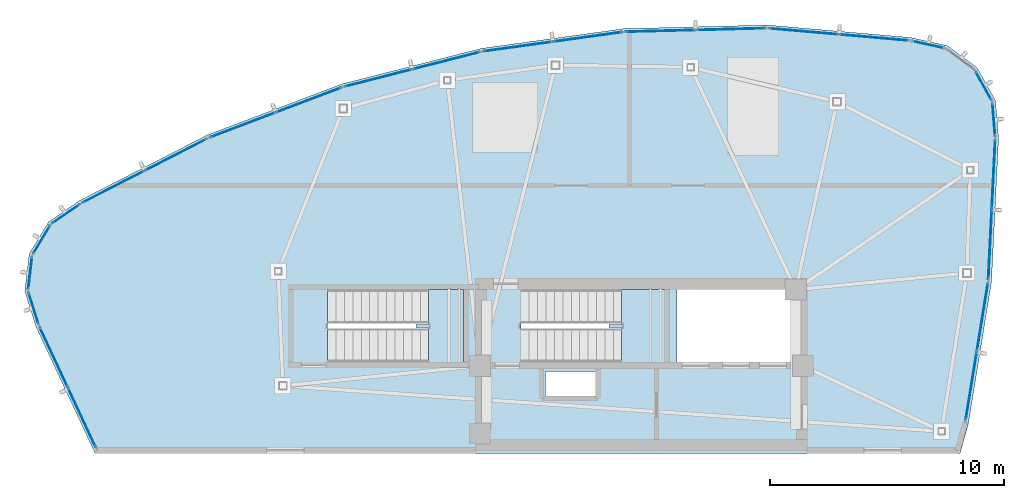
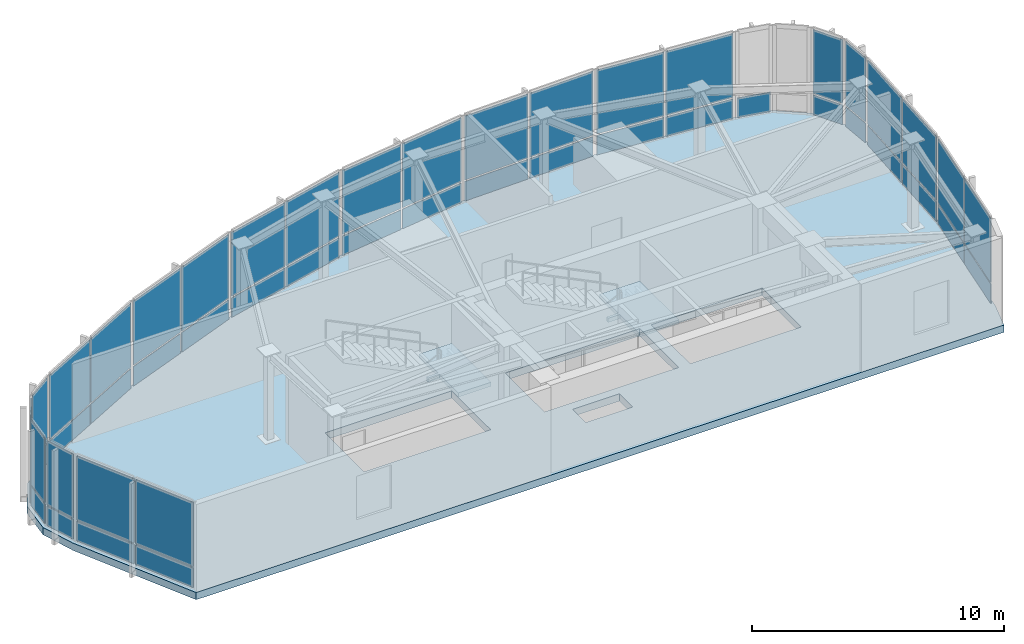
# One storey, part 5 of 10: 49 plates, 3 slabs, 18 elements without a shape of their own.
"""IFC4 building model written with IfcOpenShell, lengths in metres."""

from ifc_helpers import new_model, si_unit, direction, frame, origin, origin_2d, place, context, subcontext, project, spatial, polyline, rectangle, outline, extrude, source, transform, mapped, material, layer, layer_set, type_object, type_shapes, element, aggregate, save


model = new_model("IFC4")

# Units and contexts
model_context = context("Model", 3, precision=1e-05, world=origin(), true_north=direction((0.0, 1.0)))
body_context = subcontext(model_context, "Body", "Model", "MODEL_VIEW")
ifc_project = project(units=[si_unit("LENGTHUNIT", "METRE"), si_unit("AREAUNIT", "SQUARE_METRE"), si_unit("VOLUMEUNIT", "CUBIC_METRE"), si_unit("PLANEANGLEUNIT", "RADIAN"), si_unit("MASSUNIT", "GRAM", prefix="KILO")], contexts=[model_context])

# Site, building, storey
site_placement = place(None, origin())
site = spatial("IfcSite", under=ifc_project, at=site_placement, CompositionType="ELEMENT")
building_placement = place(site_placement, origin())
building = spatial("IfcBuilding", under=site, at=building_placement, Name="Tavelor Broadcast Tower", CompositionType="ELEMENT")
storey_placement = place(building_placement, frame((0.0, 0.0, 350.5)))
storey = spatial("IfcBuildingStorey", under=building, at=storey_placement, Name="L83", CompositionType="ELEMENT", Elevation=350.5)

# Slab
ifc_material_1 = material(Name="Concrete C40/50", Category="concrete")
ifc_layer_1 = layer(ifc_material_1, 0.35009765625)
ifc_layer_set_1 = layer_set([ifc_layer_1], Name="Concrete C40/50")
slab_type_1 = type_object("IfcSlabType", Name="Podium Structural Floor Slab 350 mm", PredefinedType="FLOOR", material=ifc_layer_set_1)
slab_1_placement = place(storey_placement, frame((0.0, 0.0, -0.35009765625)))
element("IfcSlab", 1, at=slab_1_placement, inside=storey, type_object=slab_type_1, Name="L83 Crown Peak A Floor Slab", PredefinedType="FLOOR", context=body_context, shape_type="SweptSolid", body=[
    extrude(outline(polyline([(26.6669921875, 44.199951171875), (63.619384765625, 44.199951171875), (63.9755859375, 45.468505859375), (64.963623046875, 51.53466796875), (65.26611328125, 57.673095703125), (65.13623046875, 59.268310546875), (64.361572265625, 60.668701171875), (63.0791015625, 61.62646484375), (61.516357421875, 61.971435546875), (55.3935546875, 62.5048828125), (49.24951171875, 62.349365234375), (43.16162109375, 61.506103515625), (37.20654296875, 59.986572265625), (31.458984375, 57.80908203125), (25.99169921875, 55.001708984375), (24.675048828125, 54.091796875), (23.849609375, 52.720703125), (23.66162109375, 51.13134765625), (24.14404296875, 49.60546875), (26.6669921875, 44.199951171875)]), holes=[polyline([(48.050048828125, 47.699951171875), (48.050048828125, 46.64990234375), (45.89990234375, 46.64990234375), (45.89990234375, 47.699951171875), (48.050048828125, 47.699951171875)]), polyline([(42.39599609375, 51.196044921875), (42.39599609375, 48.10400390625), (36.60400390625, 48.10400390625), (36.60400390625, 51.196044921875), (42.39599609375, 51.196044921875)]), polyline([(50.99609375, 51.196044921875), (50.99609375, 48.10400390625), (44.85400390625, 48.10400390625), (44.85400390625, 51.196044921875), (50.99609375, 51.196044921875)]), polyline([(56.60009765625, 51.199951171875), (56.60009765625, 48.10009765625), (51.52001953125, 48.10009765625), (51.52001953125, 51.199951171875), (56.60009765625, 51.199951171875)])]), origin(), (0.0, 0.0, 1.0), 0.35009765625),
])

# Stair, slab
stair_type = type_object("IfcStairType", Name="Reinforced Concrete Protected Dogleg Stair 1450 mm", PredefinedType="HALF_TURN_STAIR", material=ifc_material_1)
stair_1_placement = place(storey_placement, origin())
stair_1 = element("IfcStair", 2, at=stair_1_placement, inside=storey, type_object=stair_type, Name="L83 Protected Core Exit Stair ST1", PredefinedType="HALF_TURN_STAIR")
ifc_layer_2 = layer(ifc_material_1, 0.199951171875)
ifc_layer_set_2 = layer_set([ifc_layer_2], Name="Concrete C40/50")
slab_type_2 = type_object("IfcSlabType", Name="Reinforced Concrete Stair Half-Landing Slab 200 mm", PredefinedType="LANDING", material=ifc_layer_set_2)
slab_2_placement = place(storey_placement, frame((0.0, 0.0, 2.10009765625)))
slab_2 = element("IfcSlab", 3, at=slab_2_placement, type_object=slab_type_2, Name="ST1 landing 1", PredefinedType="LANDING", context=body_context, shape_type="SweptSolid", body=[
    extrude(outline(polyline([(49.1650390625, 49.590087890625), (49.1650390625, 48.094970703125), (51.0048828125, 48.094970703125), (51.0048828125, 51.205078125), (49.1650390625, 51.205078125), (49.1650390625, 49.7099609375), (48.625, 49.7099609375), (48.625, 49.590087890625), (49.1650390625, 49.590087890625)])), origin(), (0.0, 0.0, 1.0), 0.199951171875),
])
aggregate(stair_1, [slab_2])

stair_2_placement = place(storey_placement, origin())
stair_2 = element("IfcStair", 4, at=stair_2_placement, inside=storey, type_object=stair_type, Name="L83 Crown Peak A Plant Stair ST5", PredefinedType="HALF_TURN_STAIR")
slab_3_placement = place(storey_placement, frame((0.0, 0.0, 2.10009765625)))
slab_3 = element("IfcSlab", 5, at=slab_3_placement, type_object=slab_type_2, Name="ST5 landing 1", PredefinedType="LANDING", context=body_context, shape_type="SweptSolid", body=[
    extrude(outline(polyline([(40.9150390625, 49.590087890625), (40.9150390625, 48.094970703125), (42.405029296875, 48.094970703125), (42.405029296875, 51.205078125), (40.9150390625, 51.205078125), (40.9150390625, 49.7099609375), (40.375, 49.7099609375), (40.375, 49.590087890625), (40.9150390625, 49.590087890625)])), origin(), (0.0, 0.0, 1.0), 0.199951171875),
])
aggregate(stair_2, [slab_3])

# Curtain wall, plates
ifc_material_2 = material(Name="Architectural Anodized Aluminium", Category="aluminium")
ifc_layer_3 = layer(ifc_material_2, 0.2099609375)
ifc_layer_set_3 = layer_set([ifc_layer_3], Name="Architectural Anodized Aluminium")
curtain_wall_type = type_object("IfcCurtainWallType", Name="Split-Crown Beacon Curtain Wall CW06", PredefinedType="NOTDEFINED", material=ifc_layer_set_3)
curtain_wall_1_placement = place(storey_placement, origin())
curtain_wall_1 = element("IfcCurtainWall", 6, at=curtain_wall_1_placement, inside=storey, type_object=curtain_wall_type, Name="L83 Curtain Wall CW06 Run 972", PredefinedType="NOTDEFINED")
ifc_material_3 = material(Name="Dichroic Solar Laminated Glazing 34 mm", Category="glass")
ifc_layer_4 = layer(ifc_material_3, 0.033935546875)
ifc_layer_set_4 = layer_set([ifc_layer_4], Name="Dichroic Solar Laminated Glazing 34 mm")
plate_type = type_object("IfcPlateType", Name="CW06 Insulated Vision Glazing Panel 34 mm", PredefinedType="CURTAIN_PANEL", material=ifc_layer_set_4)
shared_shape_1 = source(origin(), body_context, "Body", "SweptSolid", [
    extrude(rectangle(XDim=2.90966796875, YDim=0.033935546875, at=origin_2d()), origin(), (0.0, 0.0, 1.0), 0.94189453125),
])
plate_1_placement = place(storey_placement, frame((64.096923828125, 47.084716796875, 0.072021484375), z_axis=(0.0, 0.0, 1.0), x_axis=(0.160773202066, 0.986991376607, 0.0)))
plate_1 = element("IfcPlate", 7, at=plate_1_placement, type_object=plate_type, Name="CW06 panel 1.1", PredefinedType="CURTAIN_PANEL", context=body_context, shape_type="MappedRepresentation", body=[
    mapped(shared_shape_1, transform((0.0, 0.0, 0.0), scale=1.0)),
])
plate_2_placement = place(storey_placement, frame((64.576171875, 50.027587890625, 0.072021484375), z_axis=(0.0, 0.0, 1.0), x_axis=(0.160773202066, 0.986991376607, 0.0)))
plate_2 = element("IfcPlate", 8, at=plate_2_placement, type_object=plate_type, Name="CW06 panel 2.1", PredefinedType="CURTAIN_PANEL", context=body_context, shape_type="MappedRepresentation", body=[
    mapped(shared_shape_1, transform((0.0, 0.0, 0.0), scale=1.0)),
])
shared_shape_2 = source(origin(), body_context, "Body", "SweptSolid", [
    extrude(rectangle(XDim=2.90966796875, YDim=0.033935546875, at=origin_2d()), origin(), (0.0, 0.0, 1.0), 3.092041015625),
])
plate_3_placement = place(storey_placement, frame((64.096923828125, 47.084716796875, 1.0859375), z_axis=(0.0, 0.0, 1.0), x_axis=(0.160773202066, 0.986991376607, 0.0)))
plate_3 = element("IfcPlate", 9, at=plate_3_placement, type_object=plate_type, Name="CW06 panel 1.2", PredefinedType="CURTAIN_PANEL", context=body_context, shape_type="MappedRepresentation", body=[
    mapped(shared_shape_2, transform((0.0, 0.0, 0.0), scale=1.0)),
])
plate_4_placement = place(storey_placement, frame((64.576171875, 50.027587890625, 1.0859375), z_axis=(0.0, 0.0, 1.0), x_axis=(0.160773202066, 0.986991376607, 0.0)))
plate_4 = element("IfcPlate", 10, at=plate_4_placement, type_object=plate_type, Name="CW06 panel 2.2", PredefinedType="CURTAIN_PANEL", context=body_context, shape_type="MappedRepresentation", body=[
    mapped(shared_shape_2, transform((0.0, 0.0, 0.0), scale=1.0)),
])
aggregate(curtain_wall_1, [plate_1, plate_3, plate_2, plate_4])

curtain_wall_2_placement = place(storey_placement, origin())
curtain_wall_2 = element("IfcCurtainWall", 11, at=curtain_wall_2_placement, inside=storey, type_object=curtain_wall_type, Name="L83 Curtain Wall CW06 Run 978", PredefinedType="NOTDEFINED")
shared_shape_3 = source(origin(), body_context, "Body", "SweptSolid", [
    extrude(rectangle(XDim=2.94140625, YDim=0.033935546875, at=origin_2d()), origin(), (0.0, 0.0, 1.0), 0.94189453125),
])
plate_5_placement = place(storey_placement, frame((59.943115234375, 61.968017578125, 0.072021484375), z_axis=(0.0, 0.0, 1.0), x_axis=(-0.996225684735, 0.086800835673, 0.0)))
plate_5 = element("IfcPlate", 12, at=plate_5_placement, type_object=plate_type, Name="CW06 panel 1.1", PredefinedType="CURTAIN_PANEL", context=body_context, shape_type="MappedRepresentation", body=[
    mapped(shared_shape_3, transform((0.0, 0.0, 0.0), scale=1.0)),
])
plate_6_placement = place(storey_placement, frame((56.94091796875, 62.2294921875, 0.072021484375), z_axis=(0.0, 0.0, 1.0), x_axis=(-0.996225684735, 0.086800835673, 0.0)))
plate_6 = element("IfcPlate", 13, at=plate_6_placement, type_object=plate_type, Name="CW06 panel 2.1", PredefinedType="CURTAIN_PANEL", context=body_context, shape_type="MappedRepresentation", body=[
    mapped(shared_shape_3, transform((0.0, 0.0, 0.0), scale=1.0)),
])

curtain_wall_3_placement = place(storey_placement, origin())
curtain_wall_3 = element("IfcCurtainWall", 14, at=curtain_wall_3_placement, inside=storey, type_object=curtain_wall_type, Name="L83 Curtain Wall CW06 Run 983", PredefinedType="NOTDEFINED")
plate_7_placement = place(storey_placement, frame((30.13037109375, 56.969482421875, 0.072021484375), z_axis=(0.0, 0.0, 1.0), x_axis=(-0.889581603497, -0.456776280819, 0.0)))
plate_7 = element("IfcPlate", 15, at=plate_7_placement, type_object=plate_type, Name="CW06 panel 1.1", PredefinedType="CURTAIN_PANEL", context=body_context, shape_type="MappedRepresentation", body=[
    mapped(shared_shape_3, transform((0.0, 0.0, 0.0), scale=1.0)),
])
plate_8_placement = place(storey_placement, frame((27.449462890625, 55.593017578125, 0.072021484375), z_axis=(0.0, 0.0, 1.0), x_axis=(-0.889581603497, -0.456776280819, 0.0)))
plate_8 = element("IfcPlate", 16, at=plate_8_placement, type_object=plate_type, Name="CW06 panel 2.1", PredefinedType="CURTAIN_PANEL", context=body_context, shape_type="MappedRepresentation", body=[
    mapped(shared_shape_3, transform((0.0, 0.0, 0.0), scale=1.0)),
])

# Plate
shared_shape_4 = source(origin(), body_context, "Body", "SweptSolid", [
    extrude(rectangle(XDim=2.94140625, YDim=0.033935546875, at=origin_2d()), origin(), (0.0, 0.0, 1.0), 3.092041015625),
])
plate_9_placement = place(storey_placement, frame((59.943115234375, 61.968017578125, 1.0859375), z_axis=(0.0, 0.0, 1.0), x_axis=(-0.996225684735, 0.086800835673, 0.0)))
plate_9 = element("IfcPlate", 17, at=plate_9_placement, type_object=plate_type, Name="CW06 panel 1.2", PredefinedType="CURTAIN_PANEL", context=body_context, shape_type="MappedRepresentation", body=[
    mapped(shared_shape_4, transform((0.0, 0.0, 0.0), scale=1.0)),
])

plate_10_placement = place(storey_placement, frame((56.94091796875, 62.2294921875, 1.0859375), z_axis=(0.0, 0.0, 1.0), x_axis=(-0.996225684735, 0.086800835673, 0.0)))
plate_10 = element("IfcPlate", 18, at=plate_10_placement, type_object=plate_type, Name="CW06 panel 2.2", PredefinedType="CURTAIN_PANEL", context=body_context, shape_type="MappedRepresentation", body=[
    mapped(shared_shape_4, transform((0.0, 0.0, 0.0), scale=1.0)),
])

aggregate(curtain_wall_2, [plate_5, plate_9, plate_6, plate_10])

plate_11_placement = place(storey_placement, frame((30.13037109375, 56.969482421875, 1.0859375), z_axis=(0.0, 0.0, 1.0), x_axis=(-0.889581603497, -0.456776280819, 0.0)))
plate_11 = element("IfcPlate", 19, at=plate_11_placement, type_object=plate_type, Name="CW06 panel 1.2", PredefinedType="CURTAIN_PANEL", context=body_context, shape_type="MappedRepresentation", body=[
    mapped(shared_shape_4, transform((0.0, 0.0, 0.0), scale=1.0)),
])

plate_12_placement = place(storey_placement, frame((27.449462890625, 55.593017578125, 1.0859375), z_axis=(0.0, 0.0, 1.0), x_axis=(-0.889581603497, -0.456776280819, 0.0)))
plate_12 = element("IfcPlate", 20, at=plate_12_placement, type_object=plate_type, Name="CW06 panel 2.2", PredefinedType="CURTAIN_PANEL", context=body_context, shape_type="MappedRepresentation", body=[
    mapped(shared_shape_4, transform((0.0, 0.0, 0.0), scale=1.0)),
])

aggregate(curtain_wall_3, [plate_7, plate_11, plate_8, plate_12])

# Curtain wall, plate
curtain_wall_4_placement = place(storey_placement, origin())
curtain_wall_4 = element("IfcCurtainWall", 21, at=curtain_wall_4_placement, inside=storey, type_object=curtain_wall_type, Name="L83 Curtain Wall CW06 Run 974", PredefinedType="NOTDEFINED")
shared_shape_5 = source(origin(), body_context, "Body", "SweptSolid", [
    extrude(rectangle(XDim=1.38720703125, YDim=0.033935546875, at=origin_2d()), origin(), (0.0, 0.0, 1.0), 0.94189453125),
])
plate_13_placement = place(storey_placement, frame((65.0625, 58.448974609375, 0.072021484375), z_axis=(0.0, 0.0, 1.0), x_axis=(-0.081110454581, 0.996705118958, 0.0)))
plate_13 = element("IfcPlate", 22, at=plate_13_placement, type_object=plate_type, Name="CW06 panel 1.1", PredefinedType="CURTAIN_PANEL", context=body_context, shape_type="MappedRepresentation", body=[
    mapped(shared_shape_5, transform((0.0, 0.0, 0.0), scale=1.0)),
])

curtain_wall_5_placement = place(storey_placement, origin())
curtain_wall_5 = element("IfcCurtainWall", 23, at=curtain_wall_5_placement, inside=storey, type_object=curtain_wall_type, Name="L83 Curtain Wall CW06 Run 977", PredefinedType="NOTDEFINED")
plate_14_placement = place(storey_placement, frame((62.25732421875, 61.66455078125, 0.072021484375), z_axis=(0.0, 0.0, 1.0), x_axis=(-0.97646899035, 0.215657856069, 0.0)))
plate_14 = element("IfcPlate", 24, at=plate_14_placement, type_object=plate_type, Name="CW06 panel 1.1", PredefinedType="CURTAIN_PANEL", context=body_context, shape_type="MappedRepresentation", body=[
    mapped(shared_shape_5, transform((0.0, 0.0, 0.0), scale=1.0)),
])
aggregate(curtain_wall_5, [plate_14])

curtain_wall_6_placement = place(storey_placement, origin())
curtain_wall_6 = element("IfcCurtainWall", 25, at=curtain_wall_6_placement, inside=storey, type_object=curtain_wall_type, Name="L83 Curtain Wall CW06 Run 984", PredefinedType="NOTDEFINED")
plate_15_placement = place(storey_placement, frame((25.421630859375, 54.437744140625, 0.072021484375), z_axis=(0.0, 0.0, 1.0), x_axis=(-0.822659803266, -0.568533946295, 0.0)))
plate_15 = element("IfcPlate", 26, at=plate_15_placement, type_object=plate_type, Name="CW06 panel 1.1", PredefinedType="CURTAIN_PANEL", context=body_context, shape_type="MappedRepresentation", body=[
    mapped(shared_shape_5, transform((0.0, 0.0, 0.0), scale=1.0)),
])

curtain_wall_7_placement = place(storey_placement, origin())
curtain_wall_7 = element("IfcCurtainWall", 27, at=curtain_wall_7_placement, inside=storey, type_object=curtain_wall_type, Name="L83 Curtain Wall CW06 Run 987", PredefinedType="NOTDEFINED")
plate_16_placement = place(storey_placement, frame((24.03955078125, 50.400634765625, 0.072021484375), z_axis=(0.0, 0.0, 1.0), x_axis=(0.30153454982, -0.953455250793, 0.0)))
plate_16 = element("IfcPlate", 28, at=plate_16_placement, type_object=plate_type, Name="CW06 panel 1.1", PredefinedType="CURTAIN_PANEL", context=body_context, shape_type="MappedRepresentation", body=[
    mapped(shared_shape_5, transform((0.0, 0.0, 0.0), scale=1.0)),
])

# Plate
shared_shape_6 = source(origin(), body_context, "Body", "SweptSolid", [
    extrude(rectangle(XDim=1.38720703125, YDim=0.033935546875, at=origin_2d()), origin(), (0.0, 0.0, 1.0), 3.092041015625),
])
plate_17_placement = place(storey_placement, frame((65.0625, 58.448974609375, 1.0859375), z_axis=(0.0, 0.0, 1.0), x_axis=(-0.081110454581, 0.996705118958, 0.0)))
plate_17 = element("IfcPlate", 29, at=plate_17_placement, type_object=plate_type, Name="CW06 panel 1.2", PredefinedType="CURTAIN_PANEL", context=body_context, shape_type="MappedRepresentation", body=[
    mapped(shared_shape_6, transform((0.0, 0.0, 0.0), scale=1.0)),
])

aggregate(curtain_wall_4, [plate_13, plate_17])

plate_18_placement = place(storey_placement, frame((25.421630859375, 54.437744140625, 1.0859375), z_axis=(0.0, 0.0, 1.0), x_axis=(-0.822659803266, -0.568533946295, 0.0)))
plate_18 = element("IfcPlate", 30, at=plate_18_placement, type_object=plate_type, Name="CW06 panel 1.2", PredefinedType="CURTAIN_PANEL", context=body_context, shape_type="MappedRepresentation", body=[
    mapped(shared_shape_6, transform((0.0, 0.0, 0.0), scale=1.0)),
])

aggregate(curtain_wall_6, [plate_15, plate_18])

plate_19_placement = place(storey_placement, frame((24.03955078125, 50.400634765625, 1.0859375), z_axis=(0.0, 0.0, 1.0), x_axis=(0.30153454982, -0.953455250793, 0.0)))
plate_19 = element("IfcPlate", 31, at=plate_19_placement, type_object=plate_type, Name="CW06 panel 1.2", PredefinedType="CURTAIN_PANEL", context=body_context, shape_type="MappedRepresentation", body=[
    mapped(shared_shape_6, transform((0.0, 0.0, 0.0), scale=1.0)),
])

aggregate(curtain_wall_7, [plate_16, plate_19])

# Curtain wall, plate
curtain_wall_8_placement = place(storey_placement, origin())
curtain_wall_8 = element("IfcCurtainWall", 32, at=curtain_wall_8_placement, inside=storey, type_object=curtain_wall_type, Name="L83 Curtain Wall CW06 Run 975", PredefinedType="NOTDEFINED")
shared_shape_7 = source(origin(), body_context, "Body", "SweptSolid", [
    extrude(rectangle(XDim=1.3662109375, YDim=0.033935546875, at=origin_2d()), origin(), (0.0, 0.0, 1.0), 0.94189453125),
])
plate_20_placement = place(storey_placement, frame((64.626220703125, 59.90087890625, 0.072021484375), z_axis=(0.0, 0.0, 1.0), x_axis=(-0.484067857959, 0.875030461693, 0.0)))
plate_20 = element("IfcPlate", 33, at=plate_20_placement, type_object=plate_type, Name="CW06 panel 1.1", PredefinedType="CURTAIN_PANEL", context=body_context, shape_type="MappedRepresentation", body=[
    mapped(shared_shape_7, transform((0.0, 0.0, 0.0), scale=1.0)),
])

curtain_wall_9_placement = place(storey_placement, origin())
curtain_wall_9 = element("IfcCurtainWall", 34, at=curtain_wall_9_placement, inside=storey, type_object=curtain_wall_type, Name="L83 Curtain Wall CW06 Run 985", PredefinedType="NOTDEFINED")
plate_21_placement = place(storey_placement, frame((24.38232421875, 53.333984375, 0.072021484375), z_axis=(0.0, 0.0, 1.0), x_axis=(-0.515819453665, -0.856697315988, 0.0)))
plate_21 = element("IfcPlate", 35, at=plate_21_placement, type_object=plate_type, Name="CW06 panel 1.1", PredefinedType="CURTAIN_PANEL", context=body_context, shape_type="MappedRepresentation", body=[
    mapped(shared_shape_7, transform((0.0, 0.0, 0.0), scale=1.0)),
])

curtain_wall_10_placement = place(storey_placement, origin())
curtain_wall_10 = element("IfcCurtainWall", 36, at=curtain_wall_10_placement, inside=storey, type_object=curtain_wall_type, Name="L83 Curtain Wall CW06 Run 986", PredefinedType="NOTDEFINED")
plate_22_placement = place(storey_placement, frame((23.89453125, 51.90966796875, 0.072021484375), z_axis=(0.0, 0.0, 1.0), x_axis=(-0.11753661896, -0.993068549096, 0.0)))
plate_22 = element("IfcPlate", 37, at=plate_22_placement, type_object=plate_type, Name="CW06 panel 1.1", PredefinedType="CURTAIN_PANEL", context=body_context, shape_type="MappedRepresentation", body=[
    mapped(shared_shape_7, transform((0.0, 0.0, 0.0), scale=1.0)),
])

# Plate
shared_shape_8 = source(origin(), body_context, "Body", "SweptSolid", [
    extrude(rectangle(XDim=1.3662109375, YDim=0.033935546875, at=origin_2d()), origin(), (0.0, 0.0, 1.0), 3.092041015625),
])
plate_23_placement = place(storey_placement, frame((64.626220703125, 59.90087890625, 1.0859375), z_axis=(0.0, 0.0, 1.0), x_axis=(-0.484067857959, 0.875030461693, 0.0)))
plate_23 = element("IfcPlate", 38, at=plate_23_placement, type_object=plate_type, Name="CW06 panel 1.2", PredefinedType="CURTAIN_PANEL", context=body_context, shape_type="MappedRepresentation", body=[
    mapped(shared_shape_8, transform((0.0, 0.0, 0.0), scale=1.0)),
])

aggregate(curtain_wall_8, [plate_20, plate_23])

plate_24_placement = place(storey_placement, frame((24.38232421875, 53.333984375, 1.0859375), z_axis=(0.0, 0.0, 1.0), x_axis=(-0.515819453665, -0.856697315988, 0.0)))
plate_24 = element("IfcPlate", 39, at=plate_24_placement, type_object=plate_type, Name="CW06 panel 1.2", PredefinedType="CURTAIN_PANEL", context=body_context, shape_type="MappedRepresentation", body=[
    mapped(shared_shape_8, transform((0.0, 0.0, 0.0), scale=1.0)),
])

aggregate(curtain_wall_9, [plate_21, plate_24])

plate_25_placement = place(storey_placement, frame((23.89453125, 51.90966796875, 1.0859375), z_axis=(0.0, 0.0, 1.0), x_axis=(-0.11753661896, -0.993068549096, 0.0)))
plate_25 = element("IfcPlate", 40, at=plate_25_placement, type_object=plate_type, Name="CW06 panel 1.2", PredefinedType="CURTAIN_PANEL", context=body_context, shape_type="MappedRepresentation", body=[
    mapped(shared_shape_8, transform((0.0, 0.0, 0.0), scale=1.0)),
])

aggregate(curtain_wall_10, [plate_22, plate_25])

# Curtain wall, plates
curtain_wall_11_placement = place(storey_placement, origin())
curtain_wall_11 = element("IfcCurtainWall", 41, at=curtain_wall_11_placement, inside=storey, type_object=curtain_wall_type, Name="L83 Curtain Wall CW06 Run 979", PredefinedType="NOTDEFINED")
shared_shape_9 = source(origin(), body_context, "Body", "SweptSolid", [
    extrude(rectangle(XDim=2.942138671875, YDim=0.033935546875, at=origin_2d()), origin(), (0.0, 0.0, 1.0), 0.94189453125),
])
plate_26_placement = place(storey_placement, frame((53.83154296875, 62.325439453125, 0.072021484375), z_axis=(0.0, 0.0, 1.0), x_axis=(-0.99967880991, -0.025343184824, 0.0)))
plate_26 = element("IfcPlate", 42, at=plate_26_placement, type_object=plate_type, Name="CW06 panel 1.1", PredefinedType="CURTAIN_PANEL", context=body_context, shape_type="MappedRepresentation", body=[
    mapped(shared_shape_9, transform((0.0, 0.0, 0.0), scale=1.0)),
])
plate_27_placement = place(storey_placement, frame((50.818359375, 62.2490234375, 0.072021484375), z_axis=(0.0, 0.0, 1.0), x_axis=(-0.99967880991, -0.025343184824, 0.0)))
plate_27 = element("IfcPlate", 43, at=plate_27_placement, type_object=plate_type, Name="CW06 panel 2.1", PredefinedType="CURTAIN_PANEL", context=body_context, shape_type="MappedRepresentation", body=[
    mapped(shared_shape_9, transform((0.0, 0.0, 0.0), scale=1.0)),
])

curtain_wall_12_placement = place(storey_placement, origin())
curtain_wall_12 = element("IfcCurtainWall", 44, at=curtain_wall_12_placement, inside=storey, type_object=curtain_wall_type, Name="L83 Curtain Wall CW06 Run 980", PredefinedType="NOTDEFINED")
plate_28_placement = place(storey_placement, frame((47.717529296875, 61.995849609375, 0.072021484375), z_axis=(0.0, 0.0, 1.0), x_axis=(-0.990546919959, -0.137174339292, 0.0)))
plate_28 = element("IfcPlate", 45, at=plate_28_placement, type_object=plate_type, Name="CW06 panel 1.1", PredefinedType="CURTAIN_PANEL", context=body_context, shape_type="MappedRepresentation", body=[
    mapped(shared_shape_9, transform((0.0, 0.0, 0.0), scale=1.0)),
])
plate_29_placement = place(storey_placement, frame((44.73193359375, 61.582275390625, 0.072021484375), z_axis=(0.0, 0.0, 1.0), x_axis=(-0.990546919959, -0.137174339292, 0.0)))
plate_29 = element("IfcPlate", 46, at=plate_29_placement, type_object=plate_type, Name="CW06 panel 2.1", PredefinedType="CURTAIN_PANEL", context=body_context, shape_type="MappedRepresentation", body=[
    mapped(shared_shape_9, transform((0.0, 0.0, 0.0), scale=1.0)),
])

curtain_wall_13_placement = place(storey_placement, origin())
curtain_wall_13 = element("IfcCurtainWall", 47, at=curtain_wall_13_placement, inside=storey, type_object=curtain_wall_type, Name="L83 Curtain Wall CW06 Run 981", PredefinedType="NOTDEFINED")
plate_30_placement = place(storey_placement, frame((41.678955078125, 60.9833984375, 0.072021484375), z_axis=(0.0, 0.0, 1.0), x_axis=(-0.968946797172, -0.247269295002, 0.0)))
plate_30 = element("IfcPlate", 48, at=plate_30_placement, type_object=plate_type, Name="CW06 panel 1.1", PredefinedType="CURTAIN_PANEL", context=body_context, shape_type="MappedRepresentation", body=[
    mapped(shared_shape_9, transform((0.0, 0.0, 0.0), scale=1.0)),
])
plate_31_placement = place(storey_placement, frame((38.758544921875, 60.238037109375, 0.072021484375), z_axis=(0.0, 0.0, 1.0), x_axis=(-0.968946797172, -0.247269295002, 0.0)))
plate_31 = element("IfcPlate", 49, at=plate_31_placement, type_object=plate_type, Name="CW06 panel 2.1", PredefinedType="CURTAIN_PANEL", context=body_context, shape_type="MappedRepresentation", body=[
    mapped(shared_shape_9, transform((0.0, 0.0, 0.0), scale=1.0)),
])

curtain_wall_14_placement = place(storey_placement, origin())
curtain_wall_14 = element("IfcCurtainWall", 50, at=curtain_wall_14_placement, inside=storey, type_object=curtain_wall_type, Name="L83 Curtain Wall CW06 Run 982", PredefinedType="NOTDEFINED")
plate_32_placement = place(storey_placement, frame((35.791748046875, 59.30078125, 0.072021484375), z_axis=(0.0, 0.0, 1.0), x_axis=(-0.9351449638, -0.354265291385, 0.0)))
plate_32 = element("IfcPlate", 51, at=plate_32_placement, type_object=plate_type, Name="CW06 panel 1.1", PredefinedType="CURTAIN_PANEL", context=body_context, shape_type="MappedRepresentation", body=[
    mapped(shared_shape_9, transform((0.0, 0.0, 0.0), scale=1.0)),
])
plate_33_placement = place(storey_placement, frame((32.97314453125, 58.233154296875, 0.072021484375), z_axis=(0.0, 0.0, 1.0), x_axis=(-0.9351449638, -0.354265291385, 0.0)))
plate_33 = element("IfcPlate", 52, at=plate_33_placement, type_object=plate_type, Name="CW06 panel 2.1", PredefinedType="CURTAIN_PANEL", context=body_context, shape_type="MappedRepresentation", body=[
    mapped(shared_shape_9, transform((0.0, 0.0, 0.0), scale=1.0)),
])

# Plate
shared_shape_10 = source(origin(), body_context, "Body", "SweptSolid", [
    extrude(rectangle(XDim=2.942138671875, YDim=0.033935546875, at=origin_2d()), origin(), (0.0, 0.0, 1.0), 3.092041015625),
])
plate_34_placement = place(storey_placement, frame((53.83154296875, 62.325439453125, 1.0859375), z_axis=(0.0, 0.0, 1.0), x_axis=(-0.99967880991, -0.025343184824, 0.0)))
plate_34 = element("IfcPlate", 53, at=plate_34_placement, type_object=plate_type, Name="CW06 panel 1.2", PredefinedType="CURTAIN_PANEL", context=body_context, shape_type="MappedRepresentation", body=[
    mapped(shared_shape_10, transform((0.0, 0.0, 0.0), scale=1.0)),
])

plate_35_placement = place(storey_placement, frame((50.818359375, 62.2490234375, 1.0859375), z_axis=(0.0, 0.0, 1.0), x_axis=(-0.99967880991, -0.025343184824, 0.0)))
plate_35 = element("IfcPlate", 54, at=plate_35_placement, type_object=plate_type, Name="CW06 panel 2.2", PredefinedType="CURTAIN_PANEL", context=body_context, shape_type="MappedRepresentation", body=[
    mapped(shared_shape_10, transform((0.0, 0.0, 0.0), scale=1.0)),
])

aggregate(curtain_wall_11, [plate_26, plate_34, plate_27, plate_35])

plate_36_placement = place(storey_placement, frame((47.717529296875, 61.995849609375, 1.0859375), z_axis=(0.0, 0.0, 1.0), x_axis=(-0.990546919959, -0.137174339292, 0.0)))
plate_36 = element("IfcPlate", 55, at=plate_36_placement, type_object=plate_type, Name="CW06 panel 1.2", PredefinedType="CURTAIN_PANEL", context=body_context, shape_type="MappedRepresentation", body=[
    mapped(shared_shape_10, transform((0.0, 0.0, 0.0), scale=1.0)),
])

plate_37_placement = place(storey_placement, frame((44.73193359375, 61.582275390625, 1.0859375), z_axis=(0.0, 0.0, 1.0), x_axis=(-0.990546919959, -0.137174339292, 0.0)))
plate_37 = element("IfcPlate", 56, at=plate_37_placement, type_object=plate_type, Name="CW06 panel 2.2", PredefinedType="CURTAIN_PANEL", context=body_context, shape_type="MappedRepresentation", body=[
    mapped(shared_shape_10, transform((0.0, 0.0, 0.0), scale=1.0)),
])

aggregate(curtain_wall_12, [plate_28, plate_36, plate_29, plate_37])

plate_38_placement = place(storey_placement, frame((41.678955078125, 60.9833984375, 1.0859375), z_axis=(0.0, 0.0, 1.0), x_axis=(-0.968946797172, -0.247269295002, 0.0)))
plate_38 = element("IfcPlate", 57, at=plate_38_placement, type_object=plate_type, Name="CW06 panel 1.2", PredefinedType="CURTAIN_PANEL", context=body_context, shape_type="MappedRepresentation", body=[
    mapped(shared_shape_10, transform((0.0, 0.0, 0.0), scale=1.0)),
])

plate_39_placement = place(storey_placement, frame((38.758544921875, 60.238037109375, 1.0859375), z_axis=(0.0, 0.0, 1.0), x_axis=(-0.968946797172, -0.247269295002, 0.0)))
plate_39 = element("IfcPlate", 58, at=plate_39_placement, type_object=plate_type, Name="CW06 panel 2.2", PredefinedType="CURTAIN_PANEL", context=body_context, shape_type="MappedRepresentation", body=[
    mapped(shared_shape_10, transform((0.0, 0.0, 0.0), scale=1.0)),
])

aggregate(curtain_wall_13, [plate_30, plate_38, plate_31, plate_39])

plate_40_placement = place(storey_placement, frame((35.791748046875, 59.30078125, 1.0859375), z_axis=(0.0, 0.0, 1.0), x_axis=(-0.9351449638, -0.354265291385, 0.0)))
plate_40 = element("IfcPlate", 59, at=plate_40_placement, type_object=plate_type, Name="CW06 panel 1.2", PredefinedType="CURTAIN_PANEL", context=body_context, shape_type="MappedRepresentation", body=[
    mapped(shared_shape_10, transform((0.0, 0.0, 0.0), scale=1.0)),
])

plate_41_placement = place(storey_placement, frame((32.97314453125, 58.233154296875, 1.0859375), z_axis=(0.0, 0.0, 1.0), x_axis=(-0.9351449638, -0.354265291385, 0.0)))
plate_41 = element("IfcPlate", 60, at=plate_41_placement, type_object=plate_type, Name="CW06 panel 2.2", PredefinedType="CURTAIN_PANEL", context=body_context, shape_type="MappedRepresentation", body=[
    mapped(shared_shape_10, transform((0.0, 0.0, 0.0), scale=1.0)),
])

aggregate(curtain_wall_14, [plate_32, plate_40, plate_33, plate_41])

# Curtain wall, plates
curtain_wall_15_placement = place(storey_placement, origin())
curtain_wall_15 = element("IfcCurtainWall", 61, at=curtain_wall_15_placement, inside=storey, type_object=curtain_wall_type, Name="L83 Curtain Wall CW06 Run 973", PredefinedType="NOTDEFINED")
shared_shape_11 = source(origin(), body_context, "Body", "SweptSolid", [
    extrude(rectangle(XDim=2.941650390625, YDim=0.033935546875, at=origin_2d()), origin(), (0.0, 0.0, 1.0), 0.94189453125),
])
plate_42_placement = place(storey_placement, frame((64.90087890625, 53.105224609375, 0.072021484375), z_axis=(0.0, 0.0, 1.0), x_axis=(0.049204081376, 0.998788745619, 0.0)))
plate_42 = element("IfcPlate", 62, at=plate_42_placement, type_object=plate_type, Name="CW06 panel 1.1", PredefinedType="CURTAIN_PANEL", context=body_context, shape_type="MappedRepresentation", body=[
    mapped(shared_shape_11, transform((0.0, 0.0, 0.0), scale=1.0)),
])
plate_43_placement = place(storey_placement, frame((65.049072265625, 56.114990234375, 0.072021484375), z_axis=(0.0, 0.0, 1.0), x_axis=(0.049204081376, 0.998788745619, 0.0)))
plate_43 = element("IfcPlate", 63, at=plate_43_placement, type_object=plate_type, Name="CW06 panel 2.1", PredefinedType="CURTAIN_PANEL", context=body_context, shape_type="MappedRepresentation", body=[
    mapped(shared_shape_11, transform((0.0, 0.0, 0.0), scale=1.0)),
])
shared_shape_12 = source(origin(), body_context, "Body", "SweptSolid", [
    extrude(rectangle(XDim=2.941650390625, YDim=0.033935546875, at=origin_2d()), origin(), (0.0, 0.0, 1.0), 3.092041015625),
])
plate_44_placement = place(storey_placement, frame((64.90087890625, 53.105224609375, 1.0859375), z_axis=(0.0, 0.0, 1.0), x_axis=(0.049204081376, 0.998788745619, 0.0)))
plate_44 = element("IfcPlate", 64, at=plate_44_placement, type_object=plate_type, Name="CW06 panel 1.2", PredefinedType="CURTAIN_PANEL", context=body_context, shape_type="MappedRepresentation", body=[
    mapped(shared_shape_12, transform((0.0, 0.0, 0.0), scale=1.0)),
])
plate_45_placement = place(storey_placement, frame((65.049072265625, 56.114990234375, 1.0859375), z_axis=(0.0, 0.0, 1.0), x_axis=(0.049204081376, 0.998788745619, 0.0)))
plate_45 = element("IfcPlate", 65, at=plate_45_placement, type_object=plate_type, Name="CW06 panel 2.2", PredefinedType="CURTAIN_PANEL", context=body_context, shape_type="MappedRepresentation", body=[
    mapped(shared_shape_12, transform((0.0, 0.0, 0.0), scale=1.0)),
])
aggregate(curtain_wall_15, [plate_42, plate_44, plate_43, plate_45])

curtain_wall_16_placement = place(storey_placement, origin())
curtain_wall_16 = element("IfcCurtainWall", 66, at=curtain_wall_16_placement, inside=storey, type_object=curtain_wall_type, Name="L83 Curtain Wall CW06 Run 988", PredefinedType="NOTDEFINED")
shared_shape_13 = source(origin(), body_context, "Body", "SweptSolid", [
    extrude(rectangle(XDim=2.77783203125, YDim=0.033935546875, at=origin_2d()), origin(), (0.0, 0.0, 1.0), 0.94189453125),
])
plate_46_placement = place(storey_placement, frame((24.899169921875, 48.31884765625, 0.072021484375), z_axis=(0.0, 0.0, 1.0), x_axis=(0.422933837136, -0.906160564914, 0.0)))
plate_46 = element("IfcPlate", 67, at=plate_46_placement, type_object=plate_type, Name="CW06 panel 1.1", PredefinedType="CURTAIN_PANEL", context=body_context, shape_type="MappedRepresentation", body=[
    mapped(shared_shape_13, transform((0.0, 0.0, 0.0), scale=1.0)),
])
plate_47_placement = place(storey_placement, frame((26.1044921875, 45.736328125, 0.072021484375), z_axis=(0.0, 0.0, 1.0), x_axis=(0.422933837136, -0.906160564914, 0.0)))
plate_47 = element("IfcPlate", 68, at=plate_47_placement, type_object=plate_type, Name="CW06 panel 2.1", PredefinedType="CURTAIN_PANEL", context=body_context, shape_type="MappedRepresentation", body=[
    mapped(shared_shape_13, transform((0.0, 0.0, 0.0), scale=1.0)),
])
shared_shape_14 = source(origin(), body_context, "Body", "SweptSolid", [
    extrude(rectangle(XDim=2.77783203125, YDim=0.033935546875, at=origin_2d()), origin(), (0.0, 0.0, 1.0), 3.092041015625),
])
type_shapes(plate_type, [shared_shape_1, shared_shape_2, shared_shape_3, shared_shape_4, shared_shape_5, shared_shape_6, shared_shape_7, shared_shape_8, shared_shape_9, shared_shape_10, shared_shape_11, shared_shape_12, shared_shape_13, shared_shape_14])
plate_48_placement = place(storey_placement, frame((24.899169921875, 48.31884765625, 1.0859375), z_axis=(0.0, 0.0, 1.0), x_axis=(0.422933837136, -0.906160564914, 0.0)))
plate_48 = element("IfcPlate", 69, at=plate_48_placement, type_object=plate_type, Name="CW06 panel 1.2", PredefinedType="CURTAIN_PANEL", context=body_context, shape_type="MappedRepresentation", body=[
    mapped(shared_shape_14, transform((0.0, 0.0, 0.0), scale=1.0)),
])
plate_49_placement = place(storey_placement, frame((26.1044921875, 45.736328125, 1.0859375), z_axis=(0.0, 0.0, 1.0), x_axis=(0.422933837136, -0.906160564914, 0.0)))
plate_49 = element("IfcPlate", 70, at=plate_49_placement, type_object=plate_type, Name="CW06 panel 2.2", PredefinedType="CURTAIN_PANEL", context=body_context, shape_type="MappedRepresentation", body=[
    mapped(shared_shape_14, transform((0.0, 0.0, 0.0), scale=1.0)),
])
aggregate(curtain_wall_16, [plate_46, plate_48, plate_47, plate_49])

save(model, "model.ifc")
